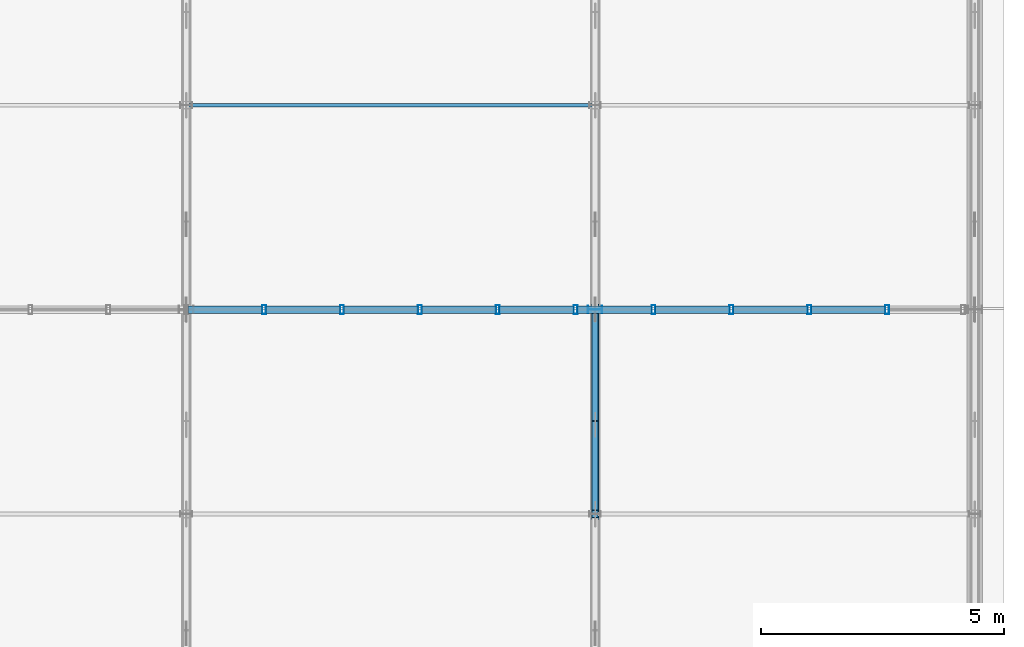
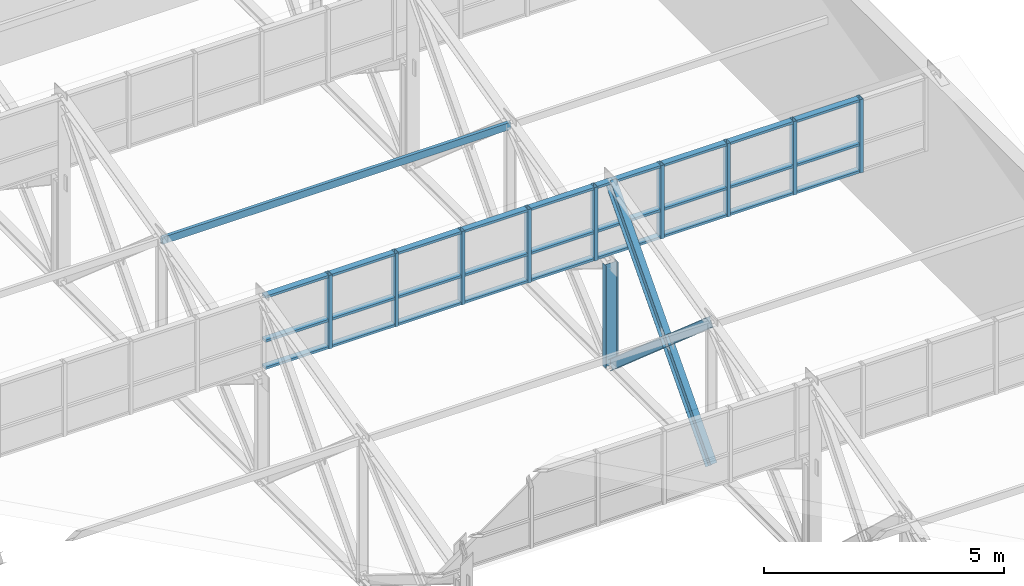
# One storey, part 79 of 123: 41 members, 1 element without a shape of its own.
"""IFC4 building model written with IfcOpenShell, lengths in metres."""

from ifc_helpers import new_model, si_unit, direction, frame, origin, origin_2d, place, context, subcontext, project, spatial, hollow_rectangle, i_section, extrude, material, layer, layer_set, material_profile, profile_set, type_object, element, aggregate, save


model = new_model("IFC4")

# Units and contexts
model_context = context("Model", 3, precision=1e-05, world=origin(), true_north=direction((0.0, 1.0)))
body_context = subcontext(model_context, "Body", "Model", "MODEL_VIEW")
ifc_project = project(units=[si_unit("LENGTHUNIT", "METRE"), si_unit("AREAUNIT", "SQUARE_METRE"), si_unit("VOLUMEUNIT", "CUBIC_METRE"), si_unit("PLANEANGLEUNIT", "RADIAN"), si_unit("MASSUNIT", "GRAM", prefix="KILO")], contexts=[model_context])

# Site, building, storey
site_placement = place(None, origin())
site = spatial("IfcSite", under=ifc_project, at=site_placement, CompositionType="ELEMENT")
building_placement = place(site_placement, origin())
building = spatial("IfcBuilding", under=site, at=building_placement, Name="Zayran Congress Hotel", CompositionType="ELEMENT")
storey_placement = place(building_placement, frame((0.0, 0.0, 15.0)))
storey = spatial("IfcBuildingStorey", under=building, at=storey_placement, Name="L03", CompositionType="ELEMENT", Elevation=15.0)

# Members
ifc_material_1 = material(Name="Steel S355", Category="steel")
ifc_material_profile_1 = material_profile(ifc_material_1, i_section(OverallWidth=0.14990234375, OverallDepth=0.300048828125, WebThickness=0.007080078125, FlangeThickness=0.0107421875, at=origin_2d()), Name="IPE 300")
ifc_profile_set_1 = profile_set([ifc_material_profile_1], Name="Steel S355")
member_type_1 = type_object("IfcMemberType", Name="TP-TR-BR1", PredefinedType="BRACE", material=ifc_profile_set_1)
member_1_placement = place(storey_placement, frame((176.39990234375, 21.39990234375, 0.0), z_axis=(0.0, 0.66679485947, 0.745241313525), x_axis=(-1.0, 0.0, 0.0)))
element("IfcMember", 1, at=member_1_placement, inside=storey, type_object=member_type_1, Name="Sawtooth Truss Diagonal Bay2 166", PredefinedType="BRACE", context=body_context, shape_type="SweptSolid", body=[
    extrude(i_section(OverallWidth=0.14990234375, OverallDepth=0.300048828125, WebThickness=0.007080078125, FlangeThickness=0.0107421875, at=origin_2d()), origin(), (0.0, 0.0, 1.0), 6.299072265625),
])
member_2_placement = place(storey_placement, frame((176.39990234375, 25.60009765625, 0.0), z_axis=(0.0, 0.0, 1.0), x_axis=(0.0, 1.0, 0.0)))
element("IfcMember", 2, at=member_2_placement, inside=storey, type_object=member_type_1, Name="TRV-01 Sawtooth Truss Strut", PredefinedType="BRACE", context=body_context, shape_type="SweptSolid", body=[
    extrude(i_section(OverallWidth=0.14990234375, OverallDepth=0.300048828125, WebThickness=0.007080078125, FlangeThickness=0.0107421875, at=origin_2d()), origin(), (0.0, 0.0, 1.0), 2.60009765625),
])
ifc_material_profile_2 = material_profile(ifc_material_1, i_section(OverallWidth=0.1201171875, OverallDepth=0.239990234375, WebThickness=0.006103515625, FlangeThickness=0.009765625, at=origin_2d()), Name="IPE 240")
ifc_profile_set_2 = profile_set([ifc_material_profile_2], Name="Steel S355")
member_type_2 = type_object("IfcMemberType", Name="TP-TR-BR2", PredefinedType="BRACE", material=ifc_profile_set_2)
member_3_placement = place(storey_placement, frame((176.39990234375, 21.39990234375, 3.647216796875), z_axis=(0.0, 0.755098908139, -0.655610889878), x_axis=(-1.0, 0.0, 0.0)))
element("IfcMember", 3, at=member_3_placement, inside=storey, type_object=member_type_2, Name="Sawtooth Truss Counter Diagonal Bay2 Upper 167", PredefinedType="BRACE", context=body_context, shape_type="SweptSolid", body=[
    extrude(i_section(OverallWidth=0.1201171875, OverallDepth=0.239990234375, WebThickness=0.006103515625, FlangeThickness=0.009765625, at=origin_2d()), origin(), (0.0, 0.0, 1.0), 2.417236328125),
])
member_4_placement = place(storey_placement, frame((176.39990234375, 23.247802734375, 2.042724609375), z_axis=(0.0, 0.755042306738, -0.655676074777), x_axis=(-1.0, 0.0, 0.0)))
element("IfcMember", 4, at=member_4_placement, inside=storey, type_object=member_type_2, Name="Sawtooth Truss Counter Diagonal Bay2 Lower 168", PredefinedType="BRACE", context=body_context, shape_type="SweptSolid", body=[
    extrude(i_section(OverallWidth=0.1201171875, OverallDepth=0.239990234375, WebThickness=0.006103515625, FlangeThickness=0.009765625, at=origin_2d()), origin(), (0.0, 0.0, 1.0), 3.115478515625),
])
ifc_material_profile_3 = material_profile(ifc_material_1, hollow_rectangle(XDim=0.080078125, YDim=0.179931640625, WallThickness=0.0048828125, at=origin_2d()), Name="RHS 180x80x5")
ifc_profile_set_3 = profile_set([ifc_material_profile_3], Name="Steel S355")
member_type_3 = type_object("IfcMemberType", Name="TP-PR-02", PredefinedType="PURLIN", material=ifc_profile_set_3)
member_5_placement = place(storey_placement, frame((168.0, 29.800048828125, 3.572265625), z_axis=(1.0, 0.0, 0.0), x_axis=(0.0, 1.0, 0.0)))
element("IfcMember", 5, at=member_5_placement, inside=storey, type_object=member_type_3, Name="MEM-PR-V3-0211", PredefinedType="PURLIN", context=body_context, shape_type="SweptSolid", body=[
    extrude(hollow_rectangle(XDim=0.080078125, YDim=0.179931640625, WallThickness=0.0048828125, at=origin_2d()), origin(), (0.0, 0.0, 1.0), 8.39990234375),
])

# Curtain wall, members
ifc_material_2 = material(Name="Anodised aluminium and low-E insulated glass", Category="aluminium")
ifc_layer = layer(ifc_material_2, 0.179931640625)
ifc_layer_set = layer_set([ifc_layer], Name="Anodised aluminium and low-E insulated glass")
curtain_wall_type = type_object("IfcCurtainWallType", Name="CW-V3SAW-L03-CW-V31-32000-1870", PredefinedType="USERDEFINED", material=ifc_layer_set)
curtain_wall_placement = place(storey_placement, origin())
curtain_wall = element("IfcCurtainWall", 6, at=curtain_wall_placement, inside=storey, type_object=curtain_wall_type, Name="CW-V3SAW-2", ObjectType="CURTAIN WALL", PredefinedType="USERDEFINED")
ifc_material_3 = material(Name="Anodised aluminium framing", Category="aluminium")
ifc_material_profile_4 = material_profile(ifc_material_3, hollow_rectangle(XDim=0.080078125, YDim=0.179931640625, WallThickness=0.0048828125, at=origin_2d()), Name="RHS 180x80x5")
ifc_profile_set_4 = profile_set([ifc_material_profile_4], Name="Anodised aluminium framing")
member_type_4 = type_object("IfcMemberType", Name="TP-CWM-01", PredefinedType="MULLION", material=ifc_profile_set_4)
member_6_placement = place(storey_placement, frame((182.39990234375, 25.60009765625, 2.85009765625), z_axis=(0.0, 0.0, 1.0), x_axis=(1.0, 0.0, 0.0)))
member_6 = element("IfcMember", 7, at=member_6_placement, type_object=member_type_4, Name="CW-V3SAW-2-M01", PredefinedType="MULLION", context=body_context, shape_type="SweptSolid", body=[
    extrude(hollow_rectangle(XDim=0.080078125, YDim=0.179931640625, WallThickness=0.0048828125, at=origin_2d()), origin(), (0.0, 0.0, 1.0), 1.869873046875),
])
member_7_placement = place(storey_placement, frame((180.800048828125, 25.60009765625, 2.85009765625), z_axis=(0.0, 0.0, 1.0), x_axis=(1.0, 0.0, 0.0)))
member_7 = element("IfcMember", 8, at=member_7_placement, type_object=member_type_4, Name="CW-V3SAW-2-M02", PredefinedType="MULLION", context=body_context, shape_type="SweptSolid", body=[
    extrude(hollow_rectangle(XDim=0.080078125, YDim=0.179931640625, WallThickness=0.0048828125, at=origin_2d()), origin(), (0.0, 0.0, 1.0), 1.869873046875),
])
member_8_placement = place(storey_placement, frame((179.199951171875, 25.60009765625, 2.85009765625), z_axis=(0.0, 0.0, 1.0), x_axis=(1.0, 0.0, 0.0)))
member_8 = element("IfcMember", 9, at=member_8_placement, type_object=member_type_4, Name="CW-V3SAW-2-M03", PredefinedType="MULLION", context=body_context, shape_type="SweptSolid", body=[
    extrude(hollow_rectangle(XDim=0.080078125, YDim=0.179931640625, WallThickness=0.0048828125, at=origin_2d()), origin(), (0.0, 0.0, 1.0), 1.869873046875),
])
member_9_placement = place(storey_placement, frame((177.60009765625, 25.60009765625, 2.85009765625), z_axis=(0.0, 0.0, 1.0), x_axis=(1.0, 0.0, 0.0)))
member_9 = element("IfcMember", 10, at=member_9_placement, type_object=member_type_4, Name="CW-V3SAW-2-M04", PredefinedType="MULLION", context=body_context, shape_type="SweptSolid", body=[
    extrude(hollow_rectangle(XDim=0.080078125, YDim=0.179931640625, WallThickness=0.0048828125, at=origin_2d()), origin(), (0.0, 0.0, 1.0), 1.869873046875),
])
member_10_placement = place(storey_placement, frame((176.0, 25.60009765625, 2.85009765625), z_axis=(0.0, 0.0, 1.0), x_axis=(1.0, 0.0, 0.0)))
member_10 = element("IfcMember", 11, at=member_10_placement, type_object=member_type_4, Name="CW-V3SAW-2-M05", PredefinedType="MULLION", context=body_context, shape_type="SweptSolid", body=[
    extrude(hollow_rectangle(XDim=0.080078125, YDim=0.179931640625, WallThickness=0.0048828125, at=origin_2d()), origin(), (0.0, 0.0, 1.0), 1.869873046875),
])
member_11_placement = place(storey_placement, frame((174.39990234375, 25.60009765625, 2.85009765625), z_axis=(0.0, 0.0, 1.0), x_axis=(1.0, 0.0, 0.0)))
member_11 = element("IfcMember", 12, at=member_11_placement, type_object=member_type_4, Name="CW-V3SAW-2-M06", PredefinedType="MULLION", context=body_context, shape_type="SweptSolid", body=[
    extrude(hollow_rectangle(XDim=0.080078125, YDim=0.179931640625, WallThickness=0.0048828125, at=origin_2d()), origin(), (0.0, 0.0, 1.0), 1.869873046875),
])
member_12_placement = place(storey_placement, frame((172.800048828125, 25.60009765625, 2.85009765625), z_axis=(0.0, 0.0, 1.0), x_axis=(1.0, 0.0, 0.0)))
member_12 = element("IfcMember", 13, at=member_12_placement, type_object=member_type_4, Name="CW-V3SAW-2-M07", PredefinedType="MULLION", context=body_context, shape_type="SweptSolid", body=[
    extrude(hollow_rectangle(XDim=0.080078125, YDim=0.179931640625, WallThickness=0.0048828125, at=origin_2d()), origin(), (0.0, 0.0, 1.0), 1.869873046875),
])
member_13_placement = place(storey_placement, frame((171.199951171875, 25.60009765625, 2.85009765625), z_axis=(0.0, 0.0, 1.0), x_axis=(1.0, 0.0, 0.0)))
member_13 = element("IfcMember", 14, at=member_13_placement, type_object=member_type_4, Name="CW-V3SAW-2-M08", PredefinedType="MULLION", context=body_context, shape_type="SweptSolid", body=[
    extrude(hollow_rectangle(XDim=0.080078125, YDim=0.179931640625, WallThickness=0.0048828125, at=origin_2d()), origin(), (0.0, 0.0, 1.0), 1.869873046875),
])
member_14_placement = place(storey_placement, frame((169.60009765625, 25.60009765625, 2.85009765625), z_axis=(0.0, 0.0, 1.0), x_axis=(1.0, 0.0, 0.0)))
member_14 = element("IfcMember", 15, at=member_14_placement, type_object=member_type_4, Name="CW-V3SAW-2-M09", PredefinedType="MULLION", context=body_context, shape_type="SweptSolid", body=[
    extrude(hollow_rectangle(XDim=0.080078125, YDim=0.179931640625, WallThickness=0.0048828125, at=origin_2d()), origin(), (0.0, 0.0, 1.0), 1.869873046875),
])
ifc_material_profile_5 = material_profile(ifc_material_3, hollow_rectangle(XDim=0.06005859375, YDim=0.14990234375, WallThickness=0.00390625, at=origin_2d()), Name="RHS 150x60x4")
ifc_profile_set_5 = profile_set([ifc_material_profile_5], Name="Anodised aluminium framing")
member_type_5 = type_object("IfcMemberType", Name="TP-CWT-01", PredefinedType="USERDEFINED", material=ifc_profile_set_5)
member_15_placement = place(storey_placement, frame((182.360107421875, 25.60009765625, 2.8798828125), z_axis=(-1.0, 0.0, 0.0), x_axis=(0.0, 0.0, 1.0)))
member_15 = element("IfcMember", 16, at=member_15_placement, type_object=member_type_5, Name="CW-V3SAW-2-T01-0", ObjectType="TRANSOM", PredefinedType="USERDEFINED", context=body_context, shape_type="SweptSolid", body=[
    extrude(hollow_rectangle(XDim=0.06005859375, YDim=0.14990234375, WallThickness=0.00390625, at=origin_2d()), origin(), (0.0, 0.0, 1.0), 1.52001953125),
])
member_16_placement = place(storey_placement, frame((182.360107421875, 25.60009765625, 3.570068359375), z_axis=(-1.0, 0.0, 0.0), x_axis=(0.0, 0.0, 1.0)))
member_16 = element("IfcMember", 17, at=member_16_placement, type_object=member_type_5, Name="CW-V3SAW-2-T01-1", ObjectType="TRANSOM", PredefinedType="USERDEFINED", context=body_context, shape_type="SweptSolid", body=[
    extrude(hollow_rectangle(XDim=0.06005859375, YDim=0.14990234375, WallThickness=0.00390625, at=origin_2d()), origin(), (0.0, 0.0, 1.0), 1.52001953125),
])
member_17_placement = place(storey_placement, frame((182.360107421875, 25.60009765625, 4.68994140625), z_axis=(-1.0, 0.0, 0.0), x_axis=(0.0, 0.0, 1.0)))
member_17 = element("IfcMember", 18, at=member_17_placement, type_object=member_type_5, Name="CW-V3SAW-2-T01-2", ObjectType="TRANSOM", PredefinedType="USERDEFINED", context=body_context, shape_type="SweptSolid", body=[
    extrude(hollow_rectangle(XDim=0.06005859375, YDim=0.14990234375, WallThickness=0.00390625, at=origin_2d()), origin(), (0.0, 0.0, 1.0), 1.52001953125),
])
member_18_placement = place(storey_placement, frame((180.760009765625, 25.60009765625, 2.8798828125), z_axis=(-1.0, 0.0, 0.0), x_axis=(0.0, 0.0, 1.0)))
member_18 = element("IfcMember", 19, at=member_18_placement, type_object=member_type_5, Name="CW-V3SAW-2-T02-0", ObjectType="TRANSOM", PredefinedType="USERDEFINED", context=body_context, shape_type="SweptSolid", body=[
    extrude(hollow_rectangle(XDim=0.06005859375, YDim=0.14990234375, WallThickness=0.00390625, at=origin_2d()), origin(), (0.0, 0.0, 1.0), 1.52001953125),
])
member_19_placement = place(storey_placement, frame((180.760009765625, 25.60009765625, 3.570068359375), z_axis=(-1.0, 0.0, 0.0), x_axis=(0.0, 0.0, 1.0)))
member_19 = element("IfcMember", 20, at=member_19_placement, type_object=member_type_5, Name="CW-V3SAW-2-T02-1", ObjectType="TRANSOM", PredefinedType="USERDEFINED", context=body_context, shape_type="SweptSolid", body=[
    extrude(hollow_rectangle(XDim=0.06005859375, YDim=0.14990234375, WallThickness=0.00390625, at=origin_2d()), origin(), (0.0, 0.0, 1.0), 1.52001953125),
])
member_20_placement = place(storey_placement, frame((180.760009765625, 25.60009765625, 4.68994140625), z_axis=(-1.0, 0.0, 0.0), x_axis=(0.0, 0.0, 1.0)))
member_20 = element("IfcMember", 21, at=member_20_placement, type_object=member_type_5, Name="CW-V3SAW-2-T02-2", ObjectType="TRANSOM", PredefinedType="USERDEFINED", context=body_context, shape_type="SweptSolid", body=[
    extrude(hollow_rectangle(XDim=0.06005859375, YDim=0.14990234375, WallThickness=0.00390625, at=origin_2d()), origin(), (0.0, 0.0, 1.0), 1.52001953125),
])
member_21_placement = place(storey_placement, frame((179.159912109375, 25.60009765625, 2.8798828125), z_axis=(-1.0, 0.0, 0.0), x_axis=(0.0, 0.0, 1.0)))
member_21 = element("IfcMember", 22, at=member_21_placement, type_object=member_type_5, Name="CW-V3SAW-2-T03-0", ObjectType="TRANSOM", PredefinedType="USERDEFINED", context=body_context, shape_type="SweptSolid", body=[
    extrude(hollow_rectangle(XDim=0.06005859375, YDim=0.14990234375, WallThickness=0.00390625, at=origin_2d()), origin(), (0.0, 0.0, 1.0), 1.52001953125),
])
member_22_placement = place(storey_placement, frame((179.159912109375, 25.60009765625, 3.570068359375), z_axis=(-1.0, 0.0, 0.0), x_axis=(0.0, 0.0, 1.0)))
member_22 = element("IfcMember", 23, at=member_22_placement, type_object=member_type_5, Name="CW-V3SAW-2-T03-1", ObjectType="TRANSOM", PredefinedType="USERDEFINED", context=body_context, shape_type="SweptSolid", body=[
    extrude(hollow_rectangle(XDim=0.06005859375, YDim=0.14990234375, WallThickness=0.00390625, at=origin_2d()), origin(), (0.0, 0.0, 1.0), 1.52001953125),
])
member_23_placement = place(storey_placement, frame((179.159912109375, 25.60009765625, 4.68994140625), z_axis=(-1.0, 0.0, 0.0), x_axis=(0.0, 0.0, 1.0)))
member_23 = element("IfcMember", 24, at=member_23_placement, type_object=member_type_5, Name="CW-V3SAW-2-T03-2", ObjectType="TRANSOM", PredefinedType="USERDEFINED", context=body_context, shape_type="SweptSolid", body=[
    extrude(hollow_rectangle(XDim=0.06005859375, YDim=0.14990234375, WallThickness=0.00390625, at=origin_2d()), origin(), (0.0, 0.0, 1.0), 1.52001953125),
])
member_24_placement = place(storey_placement, frame((177.56005859375, 25.60009765625, 2.8798828125), z_axis=(-1.0, 0.0, 0.0), x_axis=(0.0, 0.0, 1.0)))
member_24 = element("IfcMember", 25, at=member_24_placement, type_object=member_type_5, Name="CW-V3SAW-2-T04-0", ObjectType="TRANSOM", PredefinedType="USERDEFINED", context=body_context, shape_type="SweptSolid", body=[
    extrude(hollow_rectangle(XDim=0.06005859375, YDim=0.14990234375, WallThickness=0.00390625, at=origin_2d()), origin(), (0.0, 0.0, 1.0), 1.52001953125),
])
member_25_placement = place(storey_placement, frame((177.56005859375, 25.60009765625, 3.570068359375), z_axis=(-1.0, 0.0, 0.0), x_axis=(0.0, 0.0, 1.0)))
member_25 = element("IfcMember", 26, at=member_25_placement, type_object=member_type_5, Name="CW-V3SAW-2-T04-1", ObjectType="TRANSOM", PredefinedType="USERDEFINED", context=body_context, shape_type="SweptSolid", body=[
    extrude(hollow_rectangle(XDim=0.06005859375, YDim=0.14990234375, WallThickness=0.00390625, at=origin_2d()), origin(), (0.0, 0.0, 1.0), 1.52001953125),
])
member_26_placement = place(storey_placement, frame((177.56005859375, 25.60009765625, 4.68994140625), z_axis=(-1.0, 0.0, 0.0), x_axis=(0.0, 0.0, 1.0)))
member_26 = element("IfcMember", 27, at=member_26_placement, type_object=member_type_5, Name="CW-V3SAW-2-T04-2", ObjectType="TRANSOM", PredefinedType="USERDEFINED", context=body_context, shape_type="SweptSolid", body=[
    extrude(hollow_rectangle(XDim=0.06005859375, YDim=0.14990234375, WallThickness=0.00390625, at=origin_2d()), origin(), (0.0, 0.0, 1.0), 1.52001953125),
])
member_27_placement = place(storey_placement, frame((175.9599609375, 25.60009765625, 2.8798828125), z_axis=(-1.0, 0.0, 0.0), x_axis=(0.0, 0.0, 1.0)))
member_27 = element("IfcMember", 28, at=member_27_placement, type_object=member_type_5, Name="CW-V3SAW-2-T05-0", ObjectType="TRANSOM", PredefinedType="USERDEFINED", context=body_context, shape_type="SweptSolid", body=[
    extrude(hollow_rectangle(XDim=0.06005859375, YDim=0.14990234375, WallThickness=0.00390625, at=origin_2d()), origin(), (0.0, 0.0, 1.0), 1.52001953125),
])
member_28_placement = place(storey_placement, frame((175.9599609375, 25.60009765625, 3.570068359375), z_axis=(-1.0, 0.0, 0.0), x_axis=(0.0, 0.0, 1.0)))
member_28 = element("IfcMember", 29, at=member_28_placement, type_object=member_type_5, Name="CW-V3SAW-2-T05-1", ObjectType="TRANSOM", PredefinedType="USERDEFINED", context=body_context, shape_type="SweptSolid", body=[
    extrude(hollow_rectangle(XDim=0.06005859375, YDim=0.14990234375, WallThickness=0.00390625, at=origin_2d()), origin(), (0.0, 0.0, 1.0), 1.52001953125),
])
member_29_placement = place(storey_placement, frame((175.9599609375, 25.60009765625, 4.68994140625), z_axis=(-1.0, 0.0, 0.0), x_axis=(0.0, 0.0, 1.0)))
member_29 = element("IfcMember", 30, at=member_29_placement, type_object=member_type_5, Name="CW-V3SAW-2-T05-2", ObjectType="TRANSOM", PredefinedType="USERDEFINED", context=body_context, shape_type="SweptSolid", body=[
    extrude(hollow_rectangle(XDim=0.06005859375, YDim=0.14990234375, WallThickness=0.00390625, at=origin_2d()), origin(), (0.0, 0.0, 1.0), 1.52001953125),
])
member_30_placement = place(storey_placement, frame((174.360107421875, 25.60009765625, 2.8798828125), z_axis=(-1.0, 0.0, 0.0), x_axis=(0.0, 0.0, 1.0)))
member_30 = element("IfcMember", 31, at=member_30_placement, type_object=member_type_5, Name="CW-V3SAW-2-T06-0", ObjectType="TRANSOM", PredefinedType="USERDEFINED", context=body_context, shape_type="SweptSolid", body=[
    extrude(hollow_rectangle(XDim=0.06005859375, YDim=0.14990234375, WallThickness=0.00390625, at=origin_2d()), origin(), (0.0, 0.0, 1.0), 1.52001953125),
])
member_31_placement = place(storey_placement, frame((174.360107421875, 25.60009765625, 3.570068359375), z_axis=(-1.0, 0.0, 0.0), x_axis=(0.0, 0.0, 1.0)))
member_31 = element("IfcMember", 32, at=member_31_placement, type_object=member_type_5, Name="CW-V3SAW-2-T06-1", ObjectType="TRANSOM", PredefinedType="USERDEFINED", context=body_context, shape_type="SweptSolid", body=[
    extrude(hollow_rectangle(XDim=0.06005859375, YDim=0.14990234375, WallThickness=0.00390625, at=origin_2d()), origin(), (0.0, 0.0, 1.0), 1.52001953125),
])
member_32_placement = place(storey_placement, frame((174.360107421875, 25.60009765625, 4.68994140625), z_axis=(-1.0, 0.0, 0.0), x_axis=(0.0, 0.0, 1.0)))
member_32 = element("IfcMember", 33, at=member_32_placement, type_object=member_type_5, Name="CW-V3SAW-2-T06-2", ObjectType="TRANSOM", PredefinedType="USERDEFINED", context=body_context, shape_type="SweptSolid", body=[
    extrude(hollow_rectangle(XDim=0.06005859375, YDim=0.14990234375, WallThickness=0.00390625, at=origin_2d()), origin(), (0.0, 0.0, 1.0), 1.52001953125),
])
member_33_placement = place(storey_placement, frame((172.760009765625, 25.60009765625, 2.8798828125), z_axis=(-1.0, 0.0, 0.0), x_axis=(0.0, 0.0, 1.0)))
member_33 = element("IfcMember", 34, at=member_33_placement, type_object=member_type_5, Name="CW-V3SAW-2-T07-0", ObjectType="TRANSOM", PredefinedType="USERDEFINED", context=body_context, shape_type="SweptSolid", body=[
    extrude(hollow_rectangle(XDim=0.06005859375, YDim=0.14990234375, WallThickness=0.00390625, at=origin_2d()), origin(), (0.0, 0.0, 1.0), 1.52001953125),
])
member_34_placement = place(storey_placement, frame((172.760009765625, 25.60009765625, 3.570068359375), z_axis=(-1.0, 0.0, 0.0), x_axis=(0.0, 0.0, 1.0)))
member_34 = element("IfcMember", 35, at=member_34_placement, type_object=member_type_5, Name="CW-V3SAW-2-T07-1", ObjectType="TRANSOM", PredefinedType="USERDEFINED", context=body_context, shape_type="SweptSolid", body=[
    extrude(hollow_rectangle(XDim=0.06005859375, YDim=0.14990234375, WallThickness=0.00390625, at=origin_2d()), origin(), (0.0, 0.0, 1.0), 1.52001953125),
])
member_35_placement = place(storey_placement, frame((172.760009765625, 25.60009765625, 4.68994140625), z_axis=(-1.0, 0.0, 0.0), x_axis=(0.0, 0.0, 1.0)))
member_35 = element("IfcMember", 36, at=member_35_placement, type_object=member_type_5, Name="CW-V3SAW-2-T07-2", ObjectType="TRANSOM", PredefinedType="USERDEFINED", context=body_context, shape_type="SweptSolid", body=[
    extrude(hollow_rectangle(XDim=0.06005859375, YDim=0.14990234375, WallThickness=0.00390625, at=origin_2d()), origin(), (0.0, 0.0, 1.0), 1.52001953125),
])
member_36_placement = place(storey_placement, frame((171.159912109375, 25.60009765625, 2.8798828125), z_axis=(-1.0, 0.0, 0.0), x_axis=(0.0, 0.0, 1.0)))
member_36 = element("IfcMember", 37, at=member_36_placement, type_object=member_type_5, Name="CW-V3SAW-2-T08-0", ObjectType="TRANSOM", PredefinedType="USERDEFINED", context=body_context, shape_type="SweptSolid", body=[
    extrude(hollow_rectangle(XDim=0.06005859375, YDim=0.14990234375, WallThickness=0.00390625, at=origin_2d()), origin(), (0.0, 0.0, 1.0), 1.52001953125),
])
member_37_placement = place(storey_placement, frame((171.159912109375, 25.60009765625, 3.570068359375), z_axis=(-1.0, 0.0, 0.0), x_axis=(0.0, 0.0, 1.0)))
member_37 = element("IfcMember", 38, at=member_37_placement, type_object=member_type_5, Name="CW-V3SAW-2-T08-1", ObjectType="TRANSOM", PredefinedType="USERDEFINED", context=body_context, shape_type="SweptSolid", body=[
    extrude(hollow_rectangle(XDim=0.06005859375, YDim=0.14990234375, WallThickness=0.00390625, at=origin_2d()), origin(), (0.0, 0.0, 1.0), 1.52001953125),
])
member_38_placement = place(storey_placement, frame((171.159912109375, 25.60009765625, 4.68994140625), z_axis=(-1.0, 0.0, 0.0), x_axis=(0.0, 0.0, 1.0)))
member_38 = element("IfcMember", 39, at=member_38_placement, type_object=member_type_5, Name="CW-V3SAW-2-T08-2", ObjectType="TRANSOM", PredefinedType="USERDEFINED", context=body_context, shape_type="SweptSolid", body=[
    extrude(hollow_rectangle(XDim=0.06005859375, YDim=0.14990234375, WallThickness=0.00390625, at=origin_2d()), origin(), (0.0, 0.0, 1.0), 1.52001953125),
])
member_39_placement = place(storey_placement, frame((169.56005859375, 25.60009765625, 2.8798828125), z_axis=(-1.0, 0.0, 0.0), x_axis=(0.0, 0.0, 1.0)))
member_39 = element("IfcMember", 40, at=member_39_placement, type_object=member_type_5, Name="CW-V3SAW-2-T09-0", ObjectType="TRANSOM", PredefinedType="USERDEFINED", context=body_context, shape_type="SweptSolid", body=[
    extrude(hollow_rectangle(XDim=0.06005859375, YDim=0.14990234375, WallThickness=0.00390625, at=origin_2d()), origin(), (0.0, 0.0, 1.0), 1.52001953125),
])
member_40_placement = place(storey_placement, frame((169.56005859375, 25.60009765625, 3.570068359375), z_axis=(-1.0, 0.0, 0.0), x_axis=(0.0, 0.0, 1.0)))
member_40 = element("IfcMember", 41, at=member_40_placement, type_object=member_type_5, Name="CW-V3SAW-2-T09-1", ObjectType="TRANSOM", PredefinedType="USERDEFINED", context=body_context, shape_type="SweptSolid", body=[
    extrude(hollow_rectangle(XDim=0.06005859375, YDim=0.14990234375, WallThickness=0.00390625, at=origin_2d()), origin(), (0.0, 0.0, 1.0), 1.52001953125),
])
member_41_placement = place(storey_placement, frame((169.56005859375, 25.60009765625, 4.68994140625), z_axis=(-1.0, 0.0, 0.0), x_axis=(0.0, 0.0, 1.0)))
member_41 = element("IfcMember", 42, at=member_41_placement, type_object=member_type_5, Name="CW-V3SAW-2-T09-2", ObjectType="TRANSOM", PredefinedType="USERDEFINED", context=body_context, shape_type="SweptSolid", body=[
    extrude(hollow_rectangle(XDim=0.06005859375, YDim=0.14990234375, WallThickness=0.00390625, at=origin_2d()), origin(), (0.0, 0.0, 1.0), 1.52001953125),
])
aggregate(curtain_wall, [member_6, member_7, member_8, member_9, member_10, member_11, member_12, member_13, member_14, member_15, member_16, member_17, member_18, member_19, member_20, member_21, member_22, member_23, member_24, member_25, member_26, member_27, member_28, member_29, member_30, member_31, member_32, member_33, member_34, member_35, member_36, member_37, member_38, member_39, member_40, member_41])

save(model, "model.ifc")
